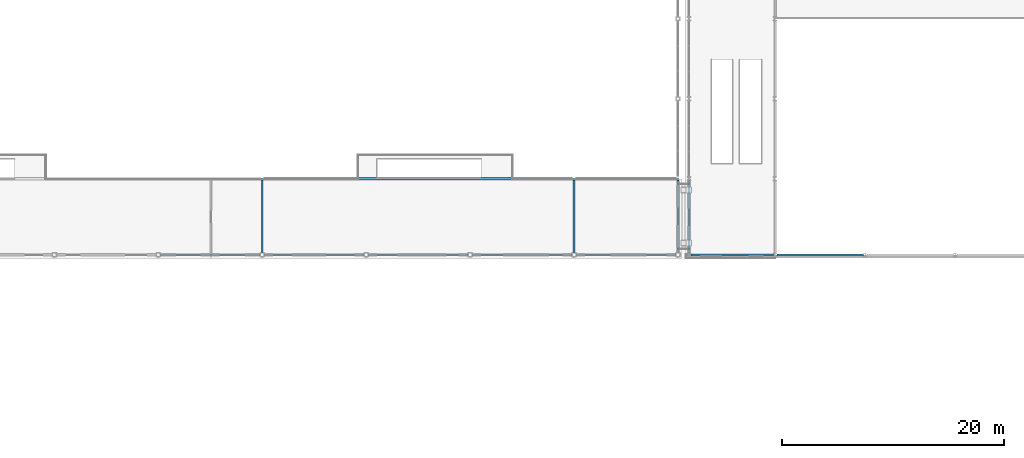
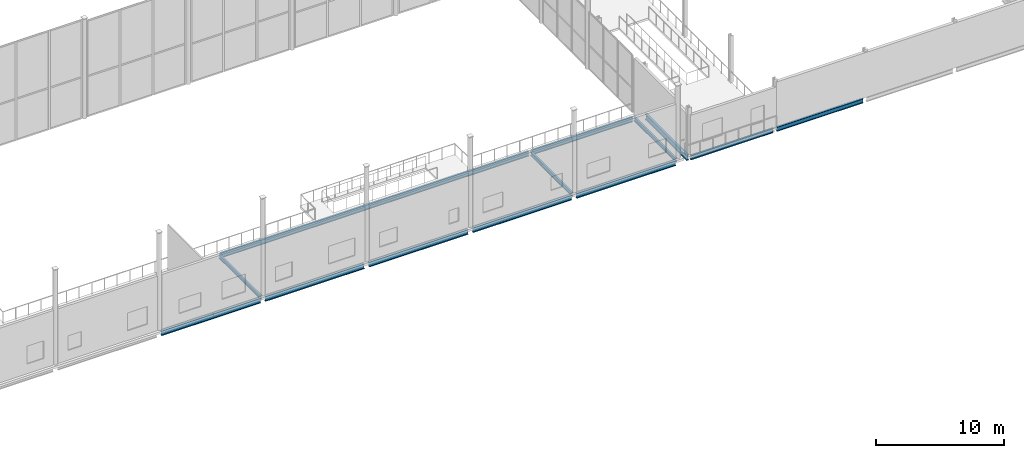
# One storey, part 41 of 77: 13 beams.
"""IFC4 building model written with IfcOpenShell, lengths in metres."""

import ifcopenshell
import ifcopenshell.guid

model = None  # the IFC model being written
_history = None  # IfcOwnerHistory: only IFC2X3 demands one
_inside = {}  # id of a spatial element -> (the spatial element, [elements in it])
_under = {}  # id of a project, library or spatial element -> (it, [spatial elements below it])
_declared = {}  # id of a project -> (the project, [libraries it declares])
_typed = {}  # id of a type object -> (the type object, [elements of that type])
_made_of = {}  # id of a material, layer set ... -> (it, [elements and type objects made of it])


def new_model(schema):
    """Start an empty IFC model of exactly this schema.

    Asked for "IFC4X3", IfcOpenShell would pick the latest addendum, in which some entities
    have other attributes; the version numbers below select the first issue.
    IFC2X3 requires an IfcOwnerHistory on every rooted entity: one is made here for all.
    """
    global model, _history
    if schema == "IFC4X3":
        model = ifcopenshell.file(schema_version=(4, 3, 0, 0))
    else:
        model = ifcopenshell.file(schema=schema)
    _inside.clear()
    _under.clear()
    _declared.clear()
    _typed.clear()
    _made_of.clear()
    _history = None
    if model.schema == "IFC2X3":
        org = make("IfcOrganization", Name="unknown")
        user = make(
            "IfcPersonAndOrganization",
            ThePerson=make("IfcPerson", FamilyName="unknown"),
            TheOrganization=org,
        )
        app = make(
            "IfcApplication",
            ApplicationDeveloper=org,
            Version="unknown",
            ApplicationFullName="unknown",
            ApplicationIdentifier="unknown",
        )
        _history = make(
            "IfcOwnerHistory",
            OwningUser=user,
            OwningApplication=app,
            ChangeAction="ADDED",
            CreationDate=0,
        )
    return model


def make(cls, **values):
    """One entity of the class cls with the attributes given. An attribute that is None is left unset."""
    return model.create_entity(
        cls, **{name: value for name, value in values.items() if value is not None}
    )


def rooted(cls, **values):
    """An entity with a GlobalId (a new one), such as an element, a storey or a relation."""
    return make(cls, GlobalId=ifcopenshell.guid.new(), OwnerHistory=_history, **values)


def si_unit(unit_type, name, prefix=None):
    """IfcSIUnit, for example si_unit("LENGTHUNIT", "METRE", prefix="MILLI")."""
    return make("IfcSIUnit", UnitType=unit_type, Prefix=prefix, Name=name)


def assignment(units):
    """IfcUnitAssignment: the units of a project."""
    return None if units is None else make("IfcUnitAssignment", Units=units)


def point(xyz):
    """IfcCartesianPoint."""
    return None if xyz is None else make("IfcCartesianPoint", Coordinates=xyz)


def direction(xyz):
    """IfcDirection."""
    return None if xyz is None else make("IfcDirection", DirectionRatios=xyz)


def frame(location, z_axis=None, x_axis=None):
    """IfcAxis2Placement3D, a coordinate frame: its origin and axes. An axis left out is left unset."""
    return make(
        "IfcAxis2Placement3D",
        Location=point(location),
        Axis=direction(z_axis),
        RefDirection=direction(x_axis),
    )


def frame_2d(location, x_axis=None):
    """IfcAxis2Placement2D, a coordinate frame in the plane: its origin and x axis."""
    return make(
        "IfcAxis2Placement2D", Location=point(location), RefDirection=direction(x_axis)
    )


def origin():
    """The frame at (0, 0, 0) with its axes left unset."""
    return frame((0.0, 0.0, 0.0))


def origin_2d():
    """The frame at (0, 0) in the plane with its x axis left unset."""
    return frame_2d((0.0, 0.0))


def place(relative_to, where):
    """IfcLocalPlacement: puts the frame where relative to a parent placement (None: the world)."""
    return make(
        "IfcLocalPlacement", PlacementRelTo=relative_to, RelativePlacement=where
    )


def context(
    kind, dimensions, precision=None, world=None, true_north=None, identifier=None
):
    """IfcGeometricRepresentationContext, for example the 3D "Model" context."""
    return make(
        "IfcGeometricRepresentationContext",
        ContextIdentifier=identifier,
        ContextType=kind,
        CoordinateSpaceDimension=dimensions,
        Precision=precision,
        WorldCoordinateSystem=world,
        TrueNorth=true_north,
    )


def subcontext(parent, identifier, kind, view, scale=None):
    """IfcGeometricRepresentationSubContext, for example "Body" below "Model"."""
    return make(
        "IfcGeometricRepresentationSubContext",
        ContextIdentifier=identifier,
        ContextType=kind,
        ParentContext=parent,
        TargetScale=scale,
        TargetView=view,
    )


def project(units=None, contexts=None):
    """IfcProject with its units and contexts."""
    return rooted(
        "IfcProject",
        Name="project",
        RepresentationContexts=contexts,
        UnitsInContext=assignment(units),
    )


def spatial(cls, under=None, at=None, **own):
    """A site, building, storey or space (cls), placed at a placement, below another one or the project."""
    s = rooted(cls, ObjectPlacement=at, **own)
    if under is not None:
        _under.setdefault(under.id(), (under, []))[1].append(s)
    return s


def profile(cls, at=None, kind="AREA", **sizes):
    """A parametric profile (cls). Its sizes go by their IFC names, for example OverallWidth=200.0."""
    return make(cls, ProfileType=kind, Position=at, **sizes)


def i_section(**sizes):
    """IfcIShapeProfileDef."""
    return profile("IfcIShapeProfileDef", **sizes)


def extrude(swept, where, along, depth):
    """IfcExtrudedAreaSolid: the profile swept, set in the frame where, extruded along a direction by depth."""
    return make(
        "IfcExtrudedAreaSolid",
        SweptArea=swept,
        Position=where,
        ExtrudedDirection=direction(along),
        Depth=depth,
    )


def shape(context_of_items, identifier, shape_type, items):
    """IfcShapeRepresentation: the items that make up one representation, for example the "Body"."""
    return make(
        "IfcShapeRepresentation",
        ContextOfItems=context_of_items,
        RepresentationIdentifier=identifier,
        RepresentationType=shape_type,
        Items=items,
    )


def material(Name=None, Category=None):
    """IfcMaterial."""
    return make("IfcMaterial", Name=Name, Category=Category)


def material_profile(
    of_material, cross_section, Name=None, Category=None, Priority=None
):
    """IfcMaterialProfile: a cross section and its material."""
    return make(
        "IfcMaterialProfile",
        Name=Name,
        Material=of_material,
        Profile=cross_section,
        Priority=Priority,
        Category=Category,
    )


def profile_set(profiles, Name=None, composite=None):
    """IfcMaterialProfileSet."""
    return make(
        "IfcMaterialProfileSet",
        Name=Name,
        MaterialProfiles=profiles,
        CompositeProfile=composite,
    )


def made_of(thing, what):
    """Note that an element or type object is made of a material, layer set ...; save() writes the relation."""
    if what is not None:
        _made_of.setdefault(what.id(), (what, []))[1].append(thing)
    return thing


def type_object(cls, material=None, **own):
    """A type object (cls), such as IfcWallType, which elements share."""
    return made_of(rooted(cls, **own), material)


def element(
    cls,
    number,
    at=None,
    inside=None,
    cuts=None,
    type_object=None,
    material=None,
    context=None,
    identifier="Body",
    shape_type=None,
    held_by="IfcProductDefinitionShape",
    body=None,
    shapes=None,
    **own,
):
    """One element of the class cls, such as IfcWall. Its Tag is "e" and its number.

    at: its placement. inside: the storey or other place that contains it. cuts: it is an
    opening in that element (IfcRelVoidsElement). A single representation is given by context,
    identifier, shape_type and body (its items); several are given by shapes. held_by: the class
    of the entity that holds the representations. save() writes the other relations.
    """
    e = rooted(cls, Tag="e%d" % number, ObjectPlacement=at, **own)
    if body is not None:
        shapes = [shape(context, identifier, shape_type, body)]
    if shapes is not None:
        e.Representation = make(held_by, Representations=shapes)
    if inside is not None:
        _inside.setdefault(inside.id(), (inside, []))[1].append(e)
    if cuts is not None:
        rooted(
            "IfcRelVoidsElement", RelatingBuildingElement=cuts, RelatedOpeningElement=e
        )
    if type_object is not None:
        _typed.setdefault(type_object.id(), (type_object, []))[1].append(e)
    return made_of(e, material)


def aggregate(whole, parts):
    """IfcRelAggregates: a whole, such as a stair, and the parts it consists of."""
    return rooted("IfcRelAggregates", RelatingObject=whole, RelatedObjects=parts)


def save(model, path):
    """Write the relations noted so far, then the file.

    IfcRelAggregates (storeys below a building ...), IfcRelContainedInSpatialStructure (elements
    in a storey), IfcRelDefinesByType, IfcRelAssociatesMaterial and IfcRelDeclares: one each for
    every whole, place, type object, material and project.
    """
    for whole, parts in _under.values():
        aggregate(whole, parts)
    for where, things in _inside.values():
        rooted(
            "IfcRelContainedInSpatialStructure",
            RelatedElements=things,
            RelatingStructure=where,
        )
    for kind, things in _typed.values():
        rooted("IfcRelDefinesByType", RelatedObjects=things, RelatingType=kind)
    for what, things in _made_of.values():
        rooted("IfcRelAssociatesMaterial", RelatedObjects=things, RelatingMaterial=what)
    for by, libraries in _declared.values():
        rooted("IfcRelDeclares", RelatingContext=by, RelatedDefinitions=libraries)
    model.write(path)


model = new_model("IFC4")

# Units and contexts
model_context = context("Model", 3, precision=1e-05, world=origin(), true_north=direction((0.0, 1.0)))
body_context = subcontext(model_context, "Body", "Model", "MODEL_VIEW")
ifc_project = project(units=[si_unit("LENGTHUNIT", "METRE"), si_unit("AREAUNIT", "SQUARE_METRE"), si_unit("VOLUMEUNIT", "CUBIC_METRE"), si_unit("PLANEANGLEUNIT", "RADIAN"), si_unit("MASSUNIT", "GRAM", prefix="KILO")], contexts=[model_context])

# Site, building, storey
site_placement = place(None, origin())
site = spatial("IfcSite", under=ifc_project, at=site_placement, CompositionType="ELEMENT")
building_placement = place(site_placement, origin())
building = spatial("IfcBuilding", under=site, at=building_placement, Name="Quillay Park Conservatory", CompositionType="ELEMENT")
storey_placement = place(building_placement, frame((0.0, 0.0, 5.39990234375)))
storey = spatial("IfcBuildingStorey", under=building, at=storey_placement, Name="L01", CompositionType="ELEMENT", Elevation=5.39990234375)

# Beams
ifc_material_1 = material(Name="Steel ASTM A992 Grade 50", Category="steel")
ifc_material_profile_1 = material_profile(ifc_material_1, i_section(OverallWidth=0.172119140625, OverallDepth=0.35791015625, WebThickness=0.0078125, FlangeThickness=0.01318359375, FilletRadius=0.010986328125, at=origin_2d()), Name="W360x57")
ifc_profile_set_1 = profile_set([ifc_material_profile_1], Name="Steel ASTM A992 Grade 50")
beam_type_1 = type_object("IfcBeamType", Name="COMPOSITE FLOOR JOIST W360 X57", PredefinedType="JOIST", material=ifc_profile_set_1)
for number, where, z_axis, x_axis, name in (
    (1, (77.427734375, 85.7529296875, -0.388916015625), (0.0, 1.0, 0.0), (-1.0, 0.0, 0.0), "L01 beam BM-V1WKT-1665"),
    (2, (105.494384765625, 85.7529296875, -0.388916015625), (0.0, 1.0, 0.0), (-1.0, 0.0, 0.0), "L01 beam BM-V1WKT-1666"),
    (3, (114.85009765625, 85.7529296875, -0.388916015625), (0.0, 1.0, 0.0), (-1.0, 0.0, 0.0), "L01 beam BM-V1WKT-1667"),
):
    element("IfcBeam", number, at=place(storey_placement, frame(where, z_axis=z_axis, x_axis=x_axis)), inside=storey, type_object=beam_type_1, Name=name, PredefinedType="JOIST", context=body_context, shape_type="SweptSolid", body=[
        extrude(i_section(OverallWidth=0.172119140625, OverallDepth=0.35791015625, WebThickness=0.0078125, FlangeThickness=0.01318359375, FilletRadius=0.010986328125, at=origin_2d()), origin(), (0.0, 0.0, 1.0), 6.51708984375),
    ])
ifc_material_2 = material(Name="Steel ASTM A992 Grade 50", Category="steel")
ifc_material_profile_2 = material_profile(ifc_material_2, i_section(OverallWidth=0.179931640625, OverallDepth=0.4130859375, WebThickness=0.009765625, FlangeThickness=0.01611328125, FilletRadius=0.011962890625, at=origin_2d()), Name="W410x74")
ifc_profile_set_2 = profile_set([ifc_material_profile_2], Name="Steel ASTM A992 Grade 50")
beam_type_2 = type_object("IfcBeamType", Name="PERIMETER SPANDREL BEAM W410 X74", PredefinedType="SPANDREL", material=ifc_profile_set_2)
beam_1_placement = place(storey_placement, frame((116.0048828125, 85.550048828125, -0.41650390625), z_axis=(1.0, 0.0, 0.0), x_axis=(0.0, 1.0, 0.0)))
element("IfcBeam", 4, at=beam_1_placement, inside=storey, type_object=beam_type_2, Name="L01 beam BM-V2P-1699", PredefinedType="SPANDREL", context=body_context, shape_type="SweptSolid", body=[
    extrude(i_section(OverallWidth=0.179931640625, OverallDepth=0.4130859375, WebThickness=0.009765625, FlangeThickness=0.01611328125, FilletRadius=0.011962890625, at=origin_2d()), origin(), (0.0, 0.0, 1.0), 7.440185546875),
])
beam_2_placement = place(storey_placement, frame((123.7548828125, 85.550048828125, -0.41650390625), z_axis=(1.0, 0.0, 0.0), x_axis=(0.0, 1.0, 0.0)))
element("IfcBeam", 5, at=beam_2_placement, inside=storey, type_object=beam_type_2, Name="L01 beam BM-V2P-1700", PredefinedType="SPANDREL", context=body_context, shape_type="SweptSolid", body=[
    extrude(i_section(OverallWidth=0.179931640625, OverallDepth=0.4130859375, WebThickness=0.009765625, FlangeThickness=0.01611328125, FilletRadius=0.011962890625, at=origin_2d()), origin(), (0.0, 0.0, 1.0), 7.7900390625),
])
ifc_material_3 = material(Name="Steel ASTM A992 Grade 50", Category="steel")
ifc_material_profile_3 = material_profile(ifc_material_3, i_section(OverallWidth=0.19189453125, OverallDepth=0.462890625, WebThickness=0.010498046875, FlangeThickness=0.017578125, FilletRadius=0.012939453125, at=origin_2d()), Name="W460x89")
ifc_profile_set_3 = profile_set([ifc_material_profile_3], Name="Steel ASTM A992 Grade 50")
beam_type_3 = type_object("IfcBeamType", Name="PRIMARY FLOOR GIRDER W460 X89", PredefinedType="BEAM", material=ifc_profile_set_3)
beam_3_placement = place(storey_placement, frame((68.275146484375, 85.550048828125, -0.44140625), z_axis=(1.0, 0.0, 0.0), x_axis=(0.0, 1.0, 0.0)))
element("IfcBeam", 6, at=beam_3_placement, inside=storey, type_object=beam_type_3, Name="L01 beam BM-V1WK-1653", PredefinedType="BEAM", context=body_context, shape_type="SweptSolid", body=[
    extrude(i_section(OverallWidth=0.19189453125, OverallDepth=0.462890625, WebThickness=0.010498046875, FlangeThickness=0.017578125, FilletRadius=0.012939453125, at=origin_2d()), origin(), (0.0, 0.0, 1.0), 8.94970703125),
])
for number, where, z_axis, x_axis, name in (
    (7, (77.630859375, 85.550048828125, -0.44140625), (1.0, 0.0, 0.0), (0.0, 1.0, 0.0), "L01 beam BM-V1WK-1654"),
    (8, (86.986328125, 85.550048828125, -0.44140625), (1.0, 0.0, 0.0), (0.0, 1.0, 0.0), "L01 beam BM-V1WK-1655"),
):
    element("IfcBeam", number, at=place(storey_placement, frame(where, z_axis=z_axis, x_axis=x_axis)), inside=storey, type_object=beam_type_3, Name=name, PredefinedType="BEAM", context=body_context, shape_type="SweptSolid", body=[
        extrude(i_section(OverallWidth=0.19189453125, OverallDepth=0.462890625, WebThickness=0.010498046875, FlangeThickness=0.017578125, FilletRadius=0.012939453125, at=origin_2d()), origin(), (0.0, 0.0, 1.0), 8.949462890625),
    ])
beam_4_placement = place(storey_placement, frame((96.341796875, 85.550048828125, -0.44140625), z_axis=(1.0, 0.0, 0.0), x_axis=(0.0, 1.0, 0.0)))
element("IfcBeam", 9, at=beam_4_placement, inside=storey, type_object=beam_type_3, Name="L01 beam BM-V1WK-1656", PredefinedType="BEAM", context=body_context, shape_type="SweptSolid", body=[
    extrude(i_section(OverallWidth=0.19189453125, OverallDepth=0.462890625, WebThickness=0.010498046875, FlangeThickness=0.017578125, FilletRadius=0.012939453125, at=origin_2d()), origin(), (0.0, 0.0, 1.0), 8.94970703125),
])
beam_5_placement = place(storey_placement, frame((105.697509765625, 85.550048828125, -0.44140625), z_axis=(1.0, 0.0, 0.0), x_axis=(0.0, 1.0, 0.0)))
element("IfcBeam", 10, at=beam_5_placement, inside=storey, type_object=beam_type_3, Name="L01 beam BM-V1WK-1657", PredefinedType="BEAM", context=body_context, shape_type="SweptSolid", body=[
    extrude(i_section(OverallWidth=0.19189453125, OverallDepth=0.462890625, WebThickness=0.010498046875, FlangeThickness=0.017578125, FilletRadius=0.012939453125, at=origin_2d()), origin(), (0.0, 0.0, 1.0), 8.949462890625),
])
beam_6_placement = place(storey_placement, frame((77.557861328125, 92.39990234375, -0.44140625), z_axis=(1.0, 0.0, 0.0), x_axis=(0.0, 1.0, 0.0)))
element("IfcBeam", 11, at=beam_6_placement, inside=storey, type_object=beam_type_3, Name="L01 beam BM-V1WK-1661", PredefinedType="BEAM", context=body_context, shape_type="SweptSolid", body=[
    extrude(i_section(OverallWidth=0.19189453125, OverallDepth=0.462890625, WebThickness=0.010498046875, FlangeThickness=0.017578125, FilletRadius=0.012939453125, at=origin_2d()), origin(), (0.0, 0.0, 1.0), 27.806640625),
])
beam_7_placement = place(storey_placement, frame((105.62451171875, 92.39990234375, -0.44140625), z_axis=(1.0, 0.0, 0.0), x_axis=(0.0, 1.0, 0.0)))
element("IfcBeam", 12, at=beam_7_placement, inside=storey, type_object=beam_type_3, Name="L01 beam BM-V1WK-1662", PredefinedType="BEAM", context=body_context, shape_type="SweptSolid", body=[
    extrude(i_section(OverallWidth=0.19189453125, OverallDepth=0.462890625, WebThickness=0.010498046875, FlangeThickness=0.017578125, FilletRadius=0.012939453125, at=origin_2d()), origin(), (0.0, 0.0, 1.0), 9.095458984375),
])
ifc_material_4 = material(Name="Steel ASTM A992 Grade 50", Category="steel")
ifc_material_profile_4 = material_profile(ifc_material_4, i_section(OverallWidth=0.2109375, OverallDepth=0.5390625, WebThickness=0.01171875, FlangeThickness=0.018798828125, FilletRadius=0.013916015625, at=origin_2d()), Name="W530x109")
ifc_profile_set_4 = profile_set([ifc_material_profile_4], Name="Steel ASTM A992 Grade 50")
beam_type_4 = type_object("IfcBeamType", Name="PRIMARY FLOOR GIRDER W530 X109", PredefinedType="BEAM", material=ifc_profile_set_4)
beam_8_placement = place(storey_placement, frame((115.85009765625, 85.705078125, -0.4794921875), z_axis=(0.0, 1.0, 0.0), x_axis=(-1.0, 0.0, 0.0)))
element("IfcBeam", 13, at=beam_8_placement, inside=storey, type_object=beam_type_4, Name="L01 beam BM-V2Y-1711", PredefinedType="BEAM", context=body_context, shape_type="SweptSolid", body=[
    extrude(i_section(OverallWidth=0.2109375, OverallDepth=0.5390625, WebThickness=0.01171875, FlangeThickness=0.018798828125, FilletRadius=0.013916015625, at=origin_2d()), origin(), (0.0, 0.0, 1.0), 6.5400390625),
])

save(model, "model.ifc")
